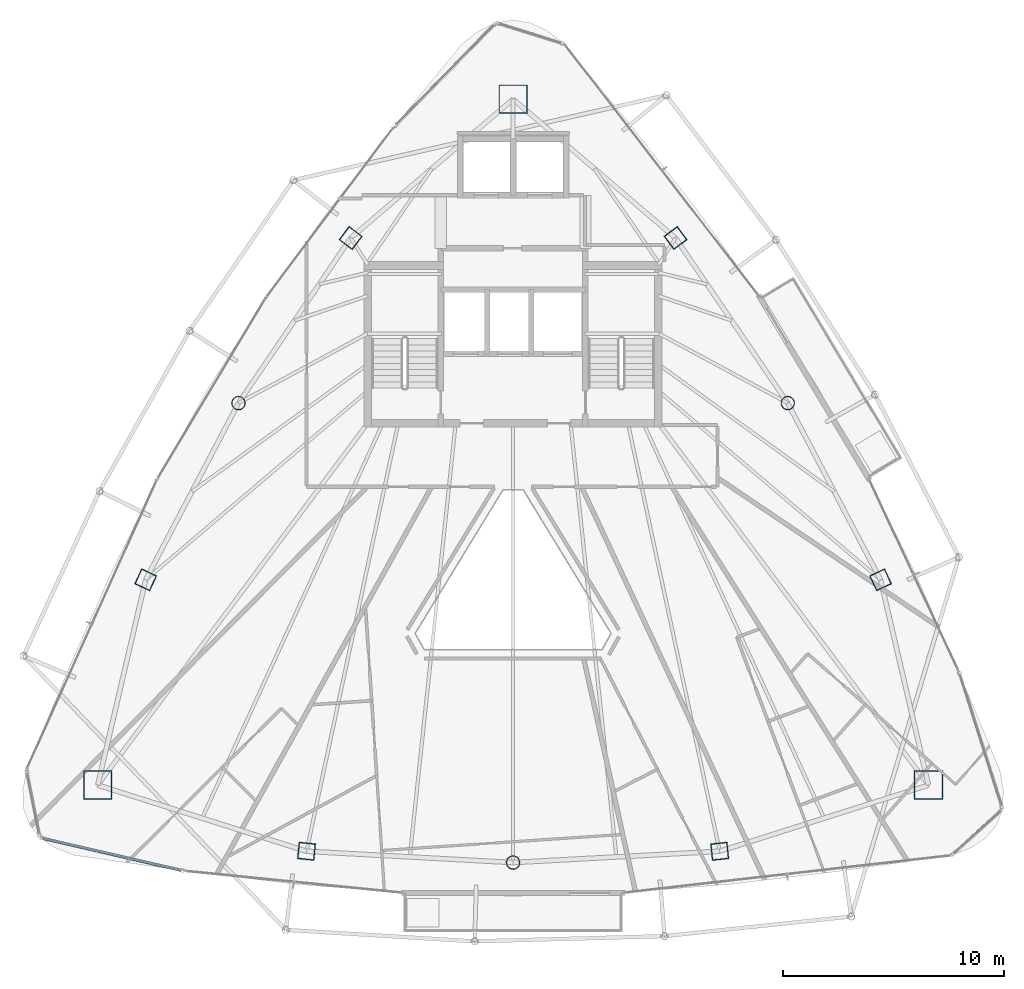
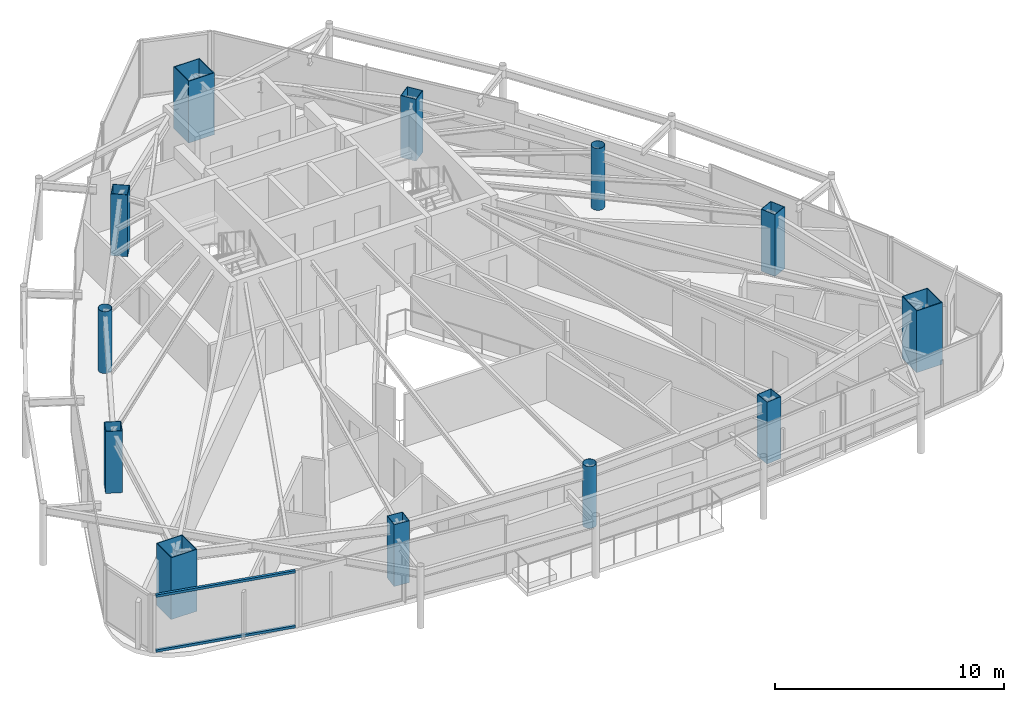
# One storey, part 1 of 29: 12 columns, 2 members, 1 element without a shape of its own.
"""IFC4 building model written with IfcOpenShell, lengths in metres."""

from ifc_helpers import new_model, si_unit, direction, frame, origin, origin_2d, place, context, subcontext, project, spatial, hollow_rectangle, hollow_circle, extrude, material, layer, layer_set, material_profile, profile_set, type_object, element, aggregate, save


model = new_model("IFC4")

# Units and contexts
model_context = context("Model", 3, precision=1e-05, world=origin(), true_north=direction((0.0, 1.0)))
body_context = subcontext(model_context, "Body", "Model", "MODEL_VIEW")
ifc_project = project(units=[si_unit("LENGTHUNIT", "METRE"), si_unit("AREAUNIT", "SQUARE_METRE"), si_unit("VOLUMEUNIT", "CUBIC_METRE"), si_unit("PLANEANGLEUNIT", "RADIAN"), si_unit("MASSUNIT", "GRAM", prefix="KILO")], contexts=[model_context])

# Site, building, storey
site_placement = place(None, origin())
site = spatial("IfcSite", under=ifc_project, at=site_placement, CompositionType="ELEMENT")
building_placement = place(site_placement, origin())
building = spatial("IfcBuilding", under=site, at=building_placement, Name="Orvanel Arch Residences", CompositionType="ELEMENT")
storey_placement = place(building_placement, frame((0.0, 0.0, 250.25)))
storey = spatial("IfcBuildingStorey", under=building, at=storey_placement, Name="L71", CompositionType="ELEMENT", Elevation=250.25)

# Columns
ifc_material_1 = material(Name="Structural steel AS/NZS 1163 C350L0 (Grade 350)", Category="steel")
ifc_material_profile_1 = material_profile(ifc_material_1, hollow_circle(Radius=0.304931640625, WallThickness=0.01611328125, at=origin_2d()), Name="CHS610x16")
ifc_profile_set_1 = profile_set([ifc_material_profile_1], Name="Structural steel AS/NZS 1163 C350L0 (Grade 350)")
column_type_1 = type_object("IfcColumnType", Name="CC-610", PredefinedType="COLUMN", material=ifc_profile_set_1)
for number, where, z_axis, x_axis, name in (
    (1, (20.569091796875, 27.64111328125, 0.0), (0.0, 0.0, 1.0), (1.0, 0.0, 0.0), "L71 High-Rise Tube Column 02"),
    (2, (33.0, 6.843994140625, 0.0), (0.0, 0.0, 1.0), (1.0, 0.0, 0.0), "L71 High-Rise Tube Column 05"),
    (3, (45.430908203125, 27.64111328125, 0.0), (0.0, 0.0, 1.0), (1.0, 0.0, 0.0), "L71 High-Rise Tube Column 08"),
):
    element("IfcColumn", number, at=place(storey_placement, frame(where, z_axis=z_axis, x_axis=x_axis)), inside=storey, type_object=column_type_1, Name=name, PredefinedType="COLUMN", context=body_context, shape_type="SweptSolid", body=[
        extrude(hollow_circle(Radius=0.304931640625, WallThickness=0.01611328125, at=origin_2d()), origin(), (0.0, 0.0, 1.0), 3.300048828125),
    ])
ifc_material_2 = material(Name="Structural steel AS/NZS 3678 Grade 450", Category="steel")
ifc_material_profile_2 = material_profile(ifc_material_2, hollow_rectangle(XDim=1.300048828125, YDim=1.300048828125, WallThickness=0.0400390625, at=origin_2d()), Name="BOX1300x1300x40")
ifc_profile_set_2 = profile_set([ifc_material_profile_2], Name="Structural steel AS/NZS 3678 Grade 450")
column_type_2 = type_object("IfcColumnType", Name="MC-1300", PredefinedType="COLUMN", material=ifc_profile_set_2)
for number, where, z_axis, x_axis, name in (
    (4, (33.0, 41.39794921875, 0.0), (0.0, 0.0, 1.0), (1.0, 0.0, 0.0), "L71 Corner Mega-Column 1"),
    (5, (14.198974609375, 10.35107421875, 0.0), (0.0, 0.0, 1.0), (1.0, 0.0, 0.0), "L71 Corner Mega-Column 2"),
    (6, (51.801025390625, 10.35107421875, 0.0), (0.0, 0.0, 1.0), (1.0, 0.0, 0.0), "L71 Corner Mega-Column 3"),
):
    element("IfcColumn", number, at=place(storey_placement, frame(where, z_axis=z_axis, x_axis=x_axis)), inside=storey, type_object=column_type_2, Name=name, PredefinedType="COLUMN", context=body_context, shape_type="SweptSolid", body=[
        extrude(hollow_rectangle(XDim=1.300048828125, YDim=1.300048828125, WallThickness=0.0400390625, at=origin_2d()), origin(), (0.0, 0.0, 1.0), 3.300048828125),
    ])
ifc_material_3 = material(Name="Structural steel AS/NZS 3678 Grade 350", Category="steel")
ifc_material_profile_3 = material_profile(ifc_material_3, hollow_rectangle(XDim=0.75, YDim=0.75, WallThickness=0.02490234375, at=origin_2d()), Name="BOX750x750x25")
ifc_profile_set_3 = profile_set([ifc_material_profile_3], Name="Structural steel AS/NZS 3678 Grade 350")
column_type_3 = type_object("IfcColumnType", Name="TC-750", PredefinedType="COLUMN", material=ifc_profile_set_3)
for number, where, z_axis, x_axis, name in (
    (7, (25.64794921875, 35.113037109375, 0.0), (0.0, 0.0, 1.0), (0.600420225326, 0.799684658487, 0.0), "L71 High-Rise Tube Column 01"),
    (8, (16.366943359375, 19.64208984375, 0.0), (0.0, 0.0, 1.0), (0.422618261741, 0.906307787037, 0.0), "L71 High-Rise Tube Column 03"),
    (9, (23.64892578125, 7.35498046875, 0.0), (0.0, 0.0, 1.0), (-0.994880708829, 0.101056297183, 0.0), "L71 High-Rise Tube Column 04"),
    (10, (42.35107421875, 7.35498046875, 0.0), (0.0, 0.0, 1.0), (0.994880708829, 0.101056297183, 0.0), "L71 High-Rise Tube Column 06"),
    (11, (49.633056640625, 19.64208984375, 0.0), (0.0, 0.0, 1.0), (-0.422618261741, 0.906307787037, 0.0), "L71 High-Rise Tube Column 07"),
    (12, (40.35205078125, 35.113037109375, 0.0), (0.0, 0.0, 1.0), (-0.600420225326, 0.799684658487, 0.0), "L71 High-Rise Tube Column 09"),
):
    element("IfcColumn", number, at=place(storey_placement, frame(where, z_axis=z_axis, x_axis=x_axis)), inside=storey, type_object=column_type_3, Name=name, PredefinedType="COLUMN", context=body_context, shape_type="SweptSolid", body=[
        extrude(hollow_rectangle(XDim=0.75, YDim=0.75, WallThickness=0.02490234375, at=origin_2d()), origin(), (0.0, 0.0, 1.0), 3.300048828125),
    ])

# Curtain wall, members
ifc_material_4 = material(Name="Bronze-anodised aluminium AA6063-T6", Category="aluminium")
ifc_layer = layer(ifc_material_4, 0.18994140625)
ifc_layer_set = layer_set([ifc_layer], Name="Bronze-anodised aluminium AA6063-T6")
curtain_wall_type = type_object("IfcCurtainWallType", Name="CW5-CRN-SYS", PredefinedType="NOTDEFINED", material=ifc_layer_set)
curtain_wall_placement = place(storey_placement, origin())
curtain_wall = element("IfcCurtainWall", 13, at=curtain_wall_placement, inside=storey, type_object=curtain_wall_type, Name="L71 CW5-CRN-SYS Unitised Curtain Wall", PredefinedType="NOTDEFINED")
ifc_material_profile_4 = material_profile(ifc_material_4, hollow_rectangle(XDim=0.1298828125, YDim=0.1298828125, WallThickness=0.00439453125, at=origin_2d()), Name="ALU130x130x4.5")
ifc_profile_set_4 = profile_set([ifc_material_profile_4], Name="Bronze-anodised aluminium AA6063-T6")
member_type = type_object("IfcMemberType", Name="TRN-130x130", PredefinedType="USERDEFINED", material=ifc_profile_set_4)
member_1_placement = place(storey_placement, frame((11.740234375, 7.935302734375, 0.06494140625), z_axis=(0.974386677331, -0.224879085378, 0.0), x_axis=(0.224879085378, 0.974386677331, 0.0)))
member_1 = element("IfcMember", 14, at=member_1_placement, type_object=member_type, Name="CW-S5 transom 1.1", ObjectType="TRANSOM", PredefinedType="USERDEFINED", context=body_context, shape_type="SweptSolid", body=[
    extrude(hollow_rectangle(XDim=0.1298828125, YDim=0.1298828125, WallThickness=0.00439453125, at=origin_2d()), origin(), (0.0, 0.0, 1.0), 6.375),
])
member_2_placement = place(storey_placement, frame((11.740234375, 7.935302734375, 2.9951171875), z_axis=(0.974386677331, -0.224879085378, 0.0), x_axis=(0.224879085378, 0.974386677331, 0.0)))
member_2 = element("IfcMember", 15, at=member_2_placement, type_object=member_type, Name="CW-S5 transom 1.2", ObjectType="TRANSOM", PredefinedType="USERDEFINED", context=body_context, shape_type="SweptSolid", body=[
    extrude(hollow_rectangle(XDim=0.1298828125, YDim=0.1298828125, WallThickness=0.00439453125, at=origin_2d()), origin(), (0.0, 0.0, 1.0), 6.375),
])
aggregate(curtain_wall, [member_1, member_2])

save(model, "model.ifc")
